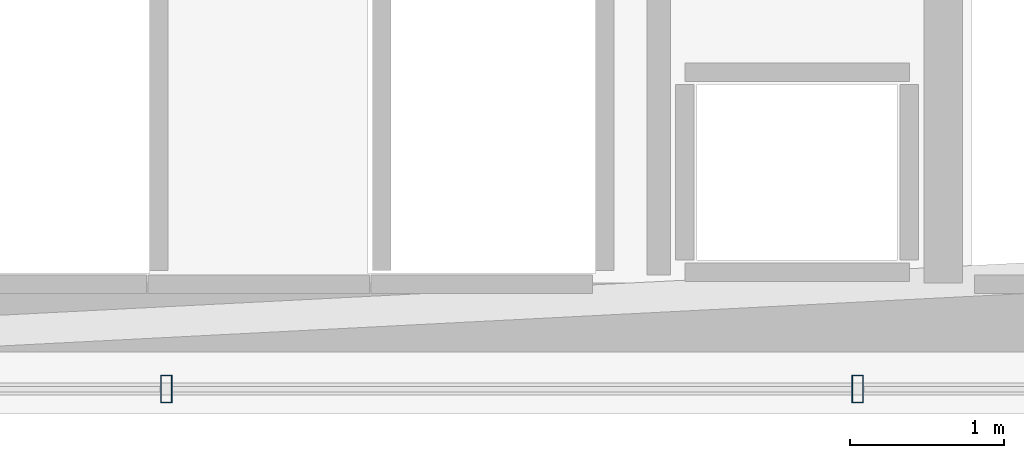
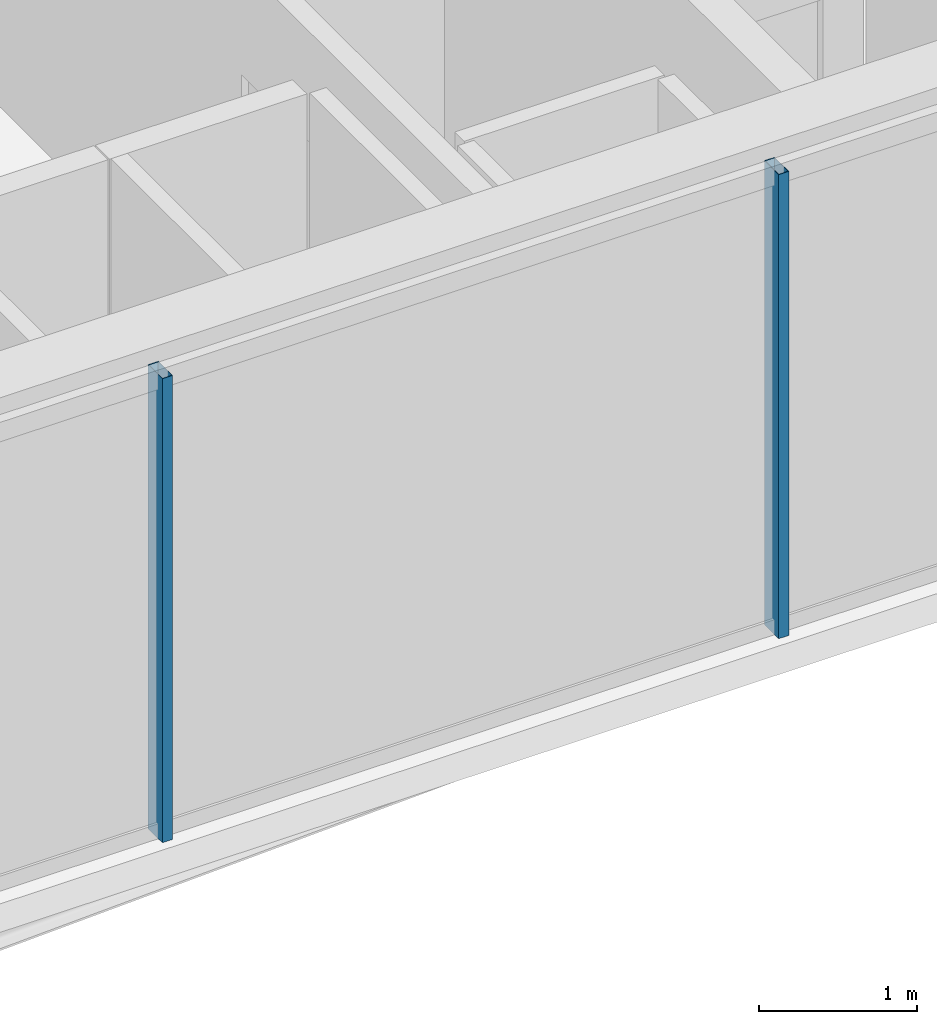
# One storey, part 9 of 32: 2 members, 1 element without a shape of its own.
"""IFC4 building model written with IfcOpenShell, lengths in metres."""

from ifc_helpers import new_model, si_unit, direction, frame, origin, origin_2d, place, context, subcontext, project, spatial, hollow_rectangle, extrude, material, layer, layer_set, material_profile, profile_set, type_object, element, aggregate, save


model = new_model("IFC4")

# Units and contexts
model_context = context("Model", 3, precision=1e-05, world=origin(), true_north=direction((0.0, 1.0)))
body_context = subcontext(model_context, "Body", "Model", "MODEL_VIEW")
ifc_project = project(units=[si_unit("LENGTHUNIT", "METRE"), si_unit("AREAUNIT", "SQUARE_METRE"), si_unit("VOLUMEUNIT", "CUBIC_METRE"), si_unit("PLANEANGLEUNIT", "RADIAN"), si_unit("MASSUNIT", "GRAM", prefix="KILO")], contexts=[model_context])

# Site, building, storey
site_placement = place(None, origin())
site = spatial("IfcSite", under=ifc_project, at=site_placement, CompositionType="ELEMENT")
building_placement = place(site_placement, origin())
building = spatial("IfcBuilding", under=site, at=building_placement, Name="Ndaravel Arena Tower", CompositionType="ELEMENT")
storey_placement = place(building_placement, frame((0.0, 0.0, 66.39990234375)))
storey = spatial("IfcBuildingStorey", under=building, at=storey_placement, Name="L14", CompositionType="ELEMENT", Elevation=66.39990234375)

# Curtain wall, members
ifc_material_1 = material(Name="Aluminium", Category="aluminium")
ifc_layer = layer(ifc_material_1, 0.179931640625)
ifc_layer_set = layer_set([ifc_layer], Name="Aluminium")
curtain_wall_type = type_object("IfcCurtainWallType", Name="CW-SYS-03", PredefinedType="NOTDEFINED", material=ifc_layer_set)
curtain_wall_placement = place(storey_placement, origin())
curtain_wall = element("IfcCurtainWall", 1, at=curtain_wall_placement, inside=storey, type_object=curtain_wall_type, Name="L14 Faceted Crystal Curtain Wall CW-L14-E01", PredefinedType="NOTDEFINED")
ifc_material_2 = material(Name="Aluminium", Category="aluminium")
ifc_material_profile = material_profile(ifc_material_2, hollow_rectangle(XDim=0.074951171875, YDim=0.179931640625, WallThickness=0.00390625, at=origin_2d()), Name="CW MULLION 75x180x4")
ifc_profile_set = profile_set([ifc_material_profile], Name="Aluminium")
member_type = type_object("IfcMemberType", Name="MEM-CW-MUL180", PredefinedType="MULLION", material=ifc_profile_set)
member_1_placement = place(storey_placement, frame((44.247802734375, 5.159912109375, 0.0), z_axis=(0.0, 0.0, 1.0), x_axis=(1.0, 0.0, 0.0)))
member_1 = element("IfcMember", 2, at=member_1_placement, type_object=member_type, Name="CW-L14-E01 Mullion 04", PredefinedType="MULLION", context=body_context, shape_type="SweptSolid", body=[
    extrude(hollow_rectangle(XDim=0.074951171875, YDim=0.179931640625, WallThickness=0.00390625, at=origin_2d()), origin(), (0.0, 0.0, 1.0), 3.580078125),
])
member_2_placement = place(storey_placement, frame((48.74365234375, 5.159912109375, 0.0), z_axis=(0.0, 0.0, 1.0), x_axis=(1.0, 0.0, 0.0)))
member_2 = element("IfcMember", 3, at=member_2_placement, type_object=member_type, Name="CW-L14-E01 Mullion 05", PredefinedType="MULLION", context=body_context, shape_type="SweptSolid", body=[
    extrude(hollow_rectangle(XDim=0.074951171875, YDim=0.179931640625, WallThickness=0.00390625, at=origin_2d()), origin(), (0.0, 0.0, 1.0), 3.580078125),
])
aggregate(curtain_wall, [member_1, member_2])

save(model, "model.ifc")
